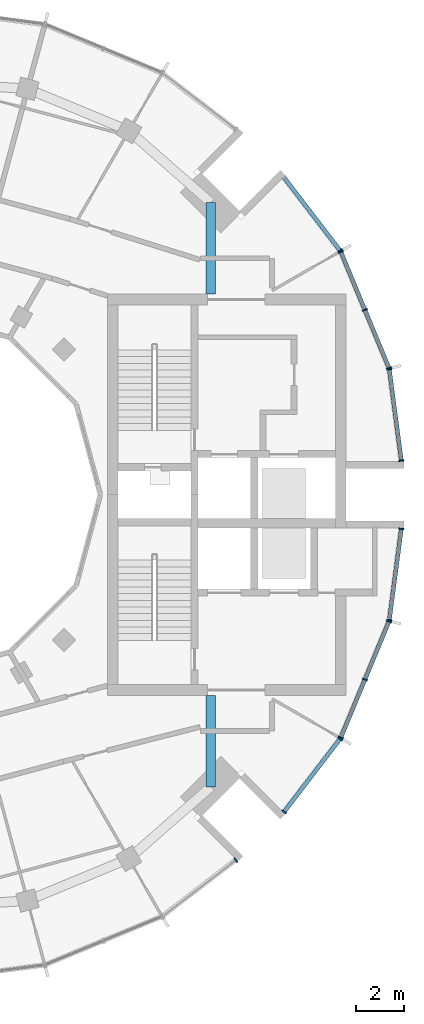
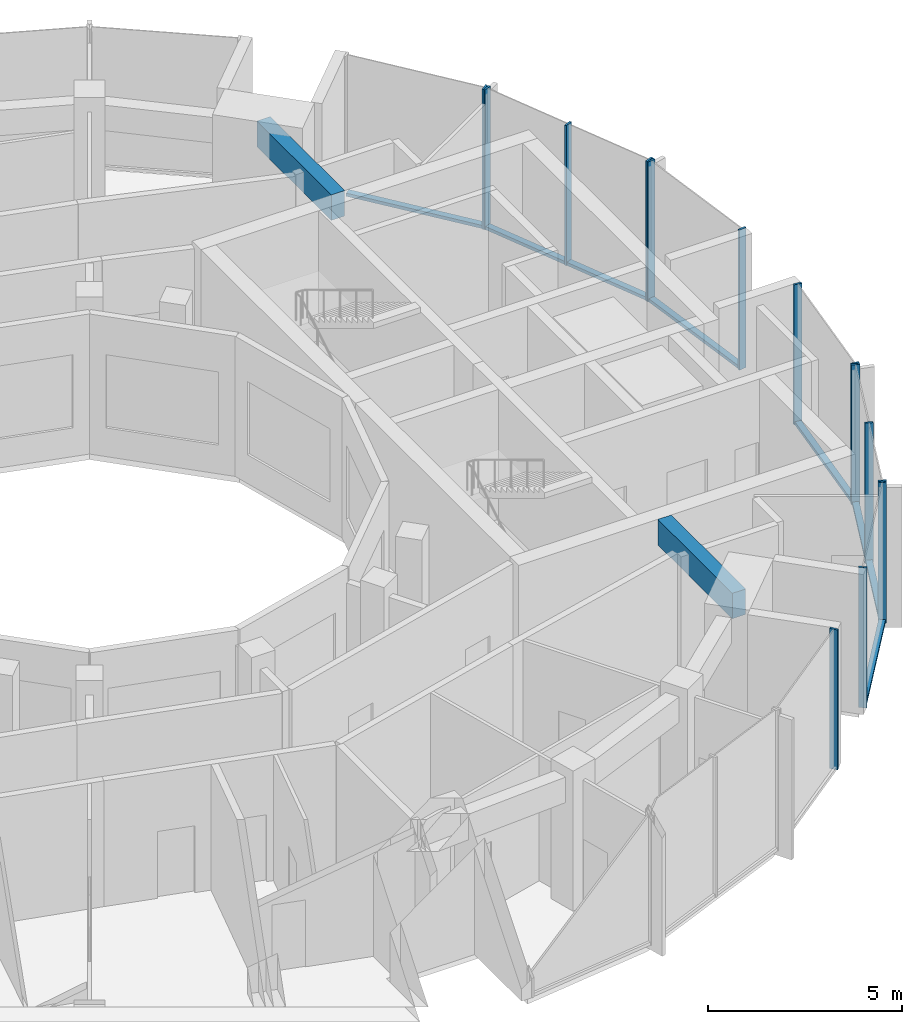
# One storey, part 4 of 13: 22 members, 2 beams, 7 elements without a shape of their own.
"""IFC4 building model written with IfcOpenShell, lengths in metres."""

from ifc_helpers import new_model, si_unit, direction, frame, origin, origin_2d, place, context, subcontext, project, spatial, rectangle, extrude, material, layer, layer_set, material_profile, profile_set, type_object, element, aggregate, save


model = new_model("IFC4")

# Units and contexts
model_context = context("Model", 3, precision=1e-05, world=origin(), true_north=direction((0.0, 1.0)))
body_context = subcontext(model_context, "Body", "Model", "MODEL_VIEW")
ifc_project = project(units=[si_unit("LENGTHUNIT", "METRE"), si_unit("AREAUNIT", "SQUARE_METRE"), si_unit("VOLUMEUNIT", "CUBIC_METRE"), si_unit("PLANEANGLEUNIT", "RADIAN"), si_unit("MASSUNIT", "GRAM", prefix="KILO")], contexts=[model_context])

# Site, building, storey
site_placement = place(None, origin())
site = spatial("IfcSite", under=ifc_project, at=site_placement, CompositionType="ELEMENT")
building_placement = place(site_placement, origin())
building = spatial("IfcBuilding", under=site, at=building_placement, Name="Torre Brocal", CompositionType="ELEMENT")
storey_placement = place(building_placement, frame((0.0, 0.0, 319.300048828125)))
storey = spatial("IfcBuildingStorey", under=building, at=storey_placement, Name="L73", CompositionType="ELEMENT", Elevation=319.300048828125)

# Curtain wall, members
ifc_material_1 = material(Name="Aluminium and glass", Category="aluminium")
ifc_layer = layer(ifc_material_1, 0.199951171875)
ifc_layer_set = layer_set([ifc_layer], Name="Aluminium and glass")
curtain_wall_type = type_object("IfcCurtainWallType", Name="CW-5 CURTAIN WALL 4400 HIGH", PredefinedType="NOTDEFINED", material=ifc_layer_set)
curtain_wall_1_placement = place(storey_placement, origin())
curtain_wall_1 = element("IfcCurtainWall", 1, at=curtain_wall_1_placement, inside=storey, type_object=curtain_wall_type, Name="CW-5 RUN 1", PredefinedType="NOTDEFINED")
ifc_material_2 = material(Name="Aluminium, dark anodised", Category="aluminium")
ifc_material_profile_1 = material_profile(ifc_material_2, rectangle(XDim=0.219970703125, YDim=0.06005859375, at=origin_2d()), Name="CW-5 MULLION 60X220")
ifc_profile_set_1 = profile_set([ifc_material_profile_1], Name="Aluminium, dark anodised")
member_type_1 = type_object("IfcMemberType", Name="CW-5 MULLION 60X220", PredefinedType="MULLION", material=ifc_profile_set_1)
member_1_placement = place(storey_placement, frame((100.2109375, 76.4296875, 0.0), z_axis=(0.0, 0.0, 1.0), x_axis=(-0.991444861394, -0.130526192064, 0.0)))
member_1 = element("IfcMember", 2, at=member_1_placement, type_object=member_type_1, Name="CW5-1 mullion 1", PredefinedType="MULLION", context=body_context, shape_type="SweptSolid", body=[
    extrude(rectangle(XDim=0.219970703125, YDim=0.06005859375, at=origin_2d()), origin(), (0.0, 0.0, 1.0), 4.39990234375),
])
member_2_placement = place(storey_placement, frame((99.7080078125, 80.25, 0.0), z_axis=(0.0, 0.0, 1.0), x_axis=(-0.991444861394, -0.130526192064, 0.0)))
member_2 = element("IfcMember", 3, at=member_2_placement, type_object=member_type_1, Name="CW5-1 mullion 2", PredefinedType="MULLION", context=body_context, shape_type="SweptSolid", body=[
    extrude(rectangle(XDim=0.219970703125, YDim=0.06005859375, at=origin_2d()), origin(), (0.0, 0.0, 1.0), 4.39990234375),
])

curtain_wall_2_placement = place(storey_placement, origin())
curtain_wall_2 = element("IfcCurtainWall", 4, at=curtain_wall_2_placement, inside=storey, type_object=curtain_wall_type, Name="CW-5 RUN 2", PredefinedType="NOTDEFINED")
member_3_placement = place(storey_placement, frame((99.692626953125, 80.307373046875, 0.0), z_axis=(0.0, 0.0, 1.0), x_axis=(-0.923879532478, -0.382683432446, 0.0)))
member_3 = element("IfcMember", 5, at=member_3_placement, type_object=member_type_1, Name="CW5-1 mullion 1", PredefinedType="MULLION", context=body_context, shape_type="SweptSolid", body=[
    extrude(rectangle(XDim=0.219970703125, YDim=0.06005859375, at=origin_2d()), origin(), (0.0, 0.0, 1.0), 4.39990234375),
])
member_4_placement = place(storey_placement, frame((98.68505859375, 82.73974609375, 0.0), z_axis=(0.0, 0.0, 1.0), x_axis=(-0.923879532478, -0.382683432446, 0.0)))
member_4 = element("IfcMember", 6, at=member_4_placement, type_object=member_type_1, Name="CW5-1 mullion 2", PredefinedType="MULLION", context=body_context, shape_type="SweptSolid", body=[
    extrude(rectangle(XDim=0.219970703125, YDim=0.06005859375, at=origin_2d()), origin(), (0.0, 0.0, 1.0), 4.39990234375),
])
member_5_placement = place(storey_placement, frame((97.677734375, 85.171875, 0.0), z_axis=(0.0, 0.0, 1.0), x_axis=(-0.923879532478, -0.382683432446, 0.0)))
member_5 = element("IfcMember", 7, at=member_5_placement, type_object=member_type_1, Name="CW5-1 mullion 3", PredefinedType="MULLION", context=body_context, shape_type="SweptSolid", body=[
    extrude(rectangle(XDim=0.219970703125, YDim=0.06005859375, at=origin_2d()), origin(), (0.0, 0.0, 1.0), 4.39990234375),
])

# Curtain wall, member
curtain_wall_3_placement = place(storey_placement, origin())
curtain_wall_3 = element("IfcCurtainWall", 8, at=curtain_wall_3_placement, inside=storey, type_object=curtain_wall_type, Name="CW-5 RUN 3", PredefinedType="NOTDEFINED")
member_6_placement = place(storey_placement, frame((97.64794921875, 85.223388671875, 0.0), z_axis=(0.0, 0.0, 1.0), x_axis=(-0.793353340376, -0.608761428898, 0.0)))
member_6 = element("IfcMember", 9, at=member_6_placement, type_object=member_type_1, Name="CW5-1 mullion 1", PredefinedType="MULLION", context=body_context, shape_type="SweptSolid", body=[
    extrude(rectangle(XDim=0.219970703125, YDim=0.06005859375, at=origin_2d()), origin(), (0.0, 0.0, 1.0), 4.39990234375),
])

curtain_wall_4_placement = place(storey_placement, origin())
curtain_wall_4 = element("IfcCurtainWall", 10, at=curtain_wall_4_placement, inside=storey, type_object=curtain_wall_type, Name="CW-5 RUN 21", PredefinedType="NOTDEFINED")
member_7_placement = place(storey_placement, frame((93.2802734375, 59.69775390625, 0.0), z_axis=(0.0, 0.0, 1.0), x_axis=(-0.608761428898, 0.793353340376, 0.0)))
member_7 = element("IfcMember", 11, at=member_7_placement, type_object=member_type_1, Name="CW5-1 mullion 2", PredefinedType="MULLION", context=body_context, shape_type="SweptSolid", body=[
    extrude(rectangle(XDim=0.219970703125, YDim=0.06005859375, at=origin_2d()), origin(), (0.0, 0.0, 1.0), 4.39990234375),
])
aggregate(curtain_wall_4, [member_7])

# Curtain wall, members
curtain_wall_5_placement = place(storey_placement, origin())
curtain_wall_5 = element("IfcCurtainWall", 12, at=curtain_wall_5_placement, inside=storey, type_object=curtain_wall_type, Name="CW-5 RUN 22", PredefinedType="NOTDEFINED")
member_8_placement = place(storey_placement, frame((95.30224609375, 61.7197265625, 0.0), z_axis=(0.0, 0.0, 1.0), x_axis=(-0.793353340376, 0.608761428898, 0.0)))
member_8 = element("IfcMember", 13, at=member_8_placement, type_object=member_type_1, Name="CW5-1 mullion 1", PredefinedType="MULLION", context=body_context, shape_type="SweptSolid", body=[
    extrude(rectangle(XDim=0.219970703125, YDim=0.06005859375, at=origin_2d()), origin(), (0.0, 0.0, 1.0), 4.39990234375),
])
member_9_placement = place(storey_placement, frame((97.64794921875, 64.776611328125, 0.0), z_axis=(0.0, 0.0, 1.0), x_axis=(-0.793353340376, 0.608761428898, 0.0)))
member_9 = element("IfcMember", 14, at=member_9_placement, type_object=member_type_1, Name="CW5-1 mullion 2", PredefinedType="MULLION", context=body_context, shape_type="SweptSolid", body=[
    extrude(rectangle(XDim=0.219970703125, YDim=0.06005859375, at=origin_2d()), origin(), (0.0, 0.0, 1.0), 4.39990234375),
])

curtain_wall_6_placement = place(storey_placement, origin())
curtain_wall_6 = element("IfcCurtainWall", 15, at=curtain_wall_6_placement, inside=storey, type_object=curtain_wall_type, Name="CW-5 RUN 23", PredefinedType="NOTDEFINED")
member_10_placement = place(storey_placement, frame((97.677734375, 64.828125, 0.0), z_axis=(0.0, 0.0, 1.0), x_axis=(-0.923879532478, 0.382683432446, 0.0)))
member_10 = element("IfcMember", 16, at=member_10_placement, type_object=member_type_1, Name="CW5-1 mullion 1", PredefinedType="MULLION", context=body_context, shape_type="SweptSolid", body=[
    extrude(rectangle(XDim=0.219970703125, YDim=0.06005859375, at=origin_2d()), origin(), (0.0, 0.0, 1.0), 4.39990234375),
])
member_11_placement = place(storey_placement, frame((98.68505859375, 67.26025390625, 0.0), z_axis=(0.0, 0.0, 1.0), x_axis=(-0.923879532478, 0.382683432446, 0.0)))
member_11 = element("IfcMember", 17, at=member_11_placement, type_object=member_type_1, Name="CW5-1 mullion 2", PredefinedType="MULLION", context=body_context, shape_type="SweptSolid", body=[
    extrude(rectangle(XDim=0.219970703125, YDim=0.06005859375, at=origin_2d()), origin(), (0.0, 0.0, 1.0), 4.39990234375),
])
member_12_placement = place(storey_placement, frame((99.692626953125, 69.692626953125, 0.0), z_axis=(0.0, 0.0, 1.0), x_axis=(-0.923879532478, 0.382683432446, 0.0)))
member_12 = element("IfcMember", 18, at=member_12_placement, type_object=member_type_1, Name="CW5-1 mullion 3", PredefinedType="MULLION", context=body_context, shape_type="SweptSolid", body=[
    extrude(rectangle(XDim=0.219970703125, YDim=0.06005859375, at=origin_2d()), origin(), (0.0, 0.0, 1.0), 4.39990234375),
])

curtain_wall_7_placement = place(storey_placement, origin())
curtain_wall_7 = element("IfcCurtainWall", 19, at=curtain_wall_7_placement, inside=storey, type_object=curtain_wall_type, Name="CW-5 RUN 24", PredefinedType="NOTDEFINED")
member_13_placement = place(storey_placement, frame((99.7080078125, 69.75, 0.0), z_axis=(0.0, 0.0, 1.0), x_axis=(-0.991444861394, 0.130526192064, 0.0)))
member_13 = element("IfcMember", 20, at=member_13_placement, type_object=member_type_1, Name="CW5-1 mullion 1", PredefinedType="MULLION", context=body_context, shape_type="SweptSolid", body=[
    extrude(rectangle(XDim=0.219970703125, YDim=0.06005859375, at=origin_2d()), origin(), (0.0, 0.0, 1.0), 4.39990234375),
])
member_14_placement = place(storey_placement, frame((100.2109375, 73.5703125, 0.0), z_axis=(0.0, 0.0, 1.0), x_axis=(-0.991444861394, 0.130526192064, 0.0)))
member_14 = element("IfcMember", 21, at=member_14_placement, type_object=member_type_1, Name="CW5-1 mullion 2", PredefinedType="MULLION", context=body_context, shape_type="SweptSolid", body=[
    extrude(rectangle(XDim=0.219970703125, YDim=0.06005859375, at=origin_2d()), origin(), (0.0, 0.0, 1.0), 4.39990234375),
])

# Member
ifc_material_3 = material(Name="Aluminium, dark anodised", Category="aluminium")
ifc_material_profile_2 = material_profile(ifc_material_3, rectangle(XDim=0.179931640625, YDim=0.10009765625, at=origin_2d()), Name="CW-5 TRANSOM 180X100")
ifc_profile_set_2 = profile_set([ifc_material_profile_2], Name="Aluminium, dark anodised")
member_type_2 = type_object("IfcMemberType", Name="CW-5 TRANSOM 180X100", PredefinedType="USERDEFINED", material=ifc_profile_set_2)
member_15_placement = place(storey_placement, frame((100.20703125, 76.45947265625, 0.050048828125), z_axis=(-0.130527769268, 0.99144465375, 0.0), x_axis=(-0.99144465375, -0.130527769268, 0.0)))
member_15 = element("IfcMember", 22, at=member_15_placement, type_object=member_type_2, Name="CW5-1 transom 1.1", ObjectType="TRANSOM", PredefinedType="USERDEFINED", context=body_context, shape_type="SweptSolid", body=[
    extrude(rectangle(XDim=0.179931640625, YDim=0.10009765625, at=origin_2d()), origin(), (0.0, 0.0, 1.0), 3.793212890625),
])

aggregate(curtain_wall_1, [member_1, member_2, member_15])

member_16_placement = place(storey_placement, frame((99.68115234375, 80.335205078125, 0.050048828125), z_axis=(-0.382734542152, 0.923858360488, 0.0), x_axis=(-0.923858360488, -0.382734542152, 0.0)))
member_16 = element("IfcMember", 23, at=member_16_placement, type_object=member_type_2, Name="CW5-1 transom 1.1", ObjectType="TRANSOM", PredefinedType="USERDEFINED", context=body_context, shape_type="SweptSolid", body=[
    extrude(rectangle(XDim=0.179931640625, YDim=0.10009765625, at=origin_2d()), origin(), (0.0, 0.0, 1.0), 2.572509765625),
])

member_17_placement = place(storey_placement, frame((98.673583984375, 82.767333984375, 0.050048828125), z_axis=(-0.382653538633, 0.923891914334, 0.0), x_axis=(-0.923891914334, -0.382653538633, 0.0)))
member_17 = element("IfcMember", 24, at=member_17_placement, type_object=member_type_2, Name="CW5-1 transom 2.1", ObjectType="TRANSOM", PredefinedType="USERDEFINED", context=body_context, shape_type="SweptSolid", body=[
    extrude(rectangle(XDim=0.179931640625, YDim=0.10009765625, at=origin_2d()), origin(), (0.0, 0.0, 1.0), 2.572509765625),
])

aggregate(curtain_wall_2, [member_3, member_4, member_5, member_16, member_17])

member_18_placement = place(storey_placement, frame((97.629638671875, 85.2470703125, 0.050048828125), z_axis=(-0.60872740935, 0.793379443335, 0.0), x_axis=(-0.793379443335, -0.60872740935, 0.0)))
member_18 = element("IfcMember", 25, at=member_18_placement, type_object=member_type_2, Name="CW5-1 transom 1.1", ObjectType="TRANSOM", PredefinedType="USERDEFINED", context=body_context, shape_type="SweptSolid", body=[
    extrude(rectangle(XDim=0.179931640625, YDim=0.10009765625, at=origin_2d()), origin(), (0.0, 0.0, 1.0), 3.793212890625),
])

aggregate(curtain_wall_3, [member_6, member_18])

member_19_placement = place(storey_placement, frame((95.320556640625, 61.743408203125, 0.050048828125), z_axis=(0.60872740935, 0.793379443335, 0.0), x_axis=(-0.793379443335, 0.60872740935, 0.0)))
member_19 = element("IfcMember", 26, at=member_19_placement, type_object=member_type_2, Name="CW5-1 transom 1.1", ObjectType="TRANSOM", PredefinedType="USERDEFINED", context=body_context, shape_type="SweptSolid", body=[
    extrude(rectangle(XDim=0.179931640625, YDim=0.10009765625, at=origin_2d()), origin(), (0.0, 0.0, 1.0), 3.793212890625),
])

aggregate(curtain_wall_5, [member_8, member_9, member_19])

member_20_placement = place(storey_placement, frame((97.689208984375, 64.85595703125, 0.050048828125), z_axis=(0.382653538633, 0.923891914334, 0.0), x_axis=(-0.923891914334, 0.382653538633, 0.0)))
member_20 = element("IfcMember", 27, at=member_20_placement, type_object=member_type_2, Name="CW5-1 transom 1.1", ObjectType="TRANSOM", PredefinedType="USERDEFINED", context=body_context, shape_type="SweptSolid", body=[
    extrude(rectangle(XDim=0.179931640625, YDim=0.10009765625, at=origin_2d()), origin(), (0.0, 0.0, 1.0), 2.572509765625),
])

member_21_placement = place(storey_placement, frame((98.696533203125, 67.2880859375, 0.050048828125), z_axis=(0.382734542152, 0.923858360488, 0.0), x_axis=(-0.923858360488, 0.382734542152, 0.0)))
member_21 = element("IfcMember", 28, at=member_21_placement, type_object=member_type_2, Name="CW5-1 transom 2.1", ObjectType="TRANSOM", PredefinedType="USERDEFINED", context=body_context, shape_type="SweptSolid", body=[
    extrude(rectangle(XDim=0.179931640625, YDim=0.10009765625, at=origin_2d()), origin(), (0.0, 0.0, 1.0), 2.572509765625),
])

aggregate(curtain_wall_6, [member_10, member_11, member_12, member_20, member_21])

member_22_placement = place(storey_placement, frame((99.7119140625, 69.77978515625, 0.050048828125), z_axis=(0.130527769268, 0.99144465375, 0.0), x_axis=(-0.99144465375, 0.130527769268, 0.0)))
member_22 = element("IfcMember", 29, at=member_22_placement, type_object=member_type_2, Name="CW5-1 transom 1.1", ObjectType="TRANSOM", PredefinedType="USERDEFINED", context=body_context, shape_type="SweptSolid", body=[
    extrude(rectangle(XDim=0.179931640625, YDim=0.10009765625, at=origin_2d()), origin(), (0.0, 0.0, 1.0), 3.793212890625),
])

aggregate(curtain_wall_7, [member_13, member_14, member_22])

# Beams
ifc_material_4 = material(Name="Concrete C50", Category="concrete")
ifc_material_profile_3 = material_profile(ifc_material_4, rectangle(XDim=0.39990234375, YDim=0.800048828125, at=origin_2d()), Name="RC 400X800")
ifc_profile_set_3 = profile_set([ifc_material_profile_3], Name="Concrete C50")
beam_type = type_object("IfcBeamType", Name="RC SPANDREL BEAM 400X800 C50 TOP 4080", PredefinedType="SPANDREL", material=ifc_profile_set_3)
for number, where, z_axis, x_axis, name in (
    (30, (92.23291015625, 62.76708984375, 3.679931640625), (0.0, 1.0, 0.0), (-1.0, 0.0, 0.0), "Beam BT-50"),
    (31, (92.23291015625, 87.23291015625, 3.679931640625), (0.0, -1.0, 0.0), (1.0, 0.0, 0.0), "Beam BT-50"),
):
    element("IfcBeam", number, at=place(storey_placement, frame(where, z_axis=z_axis, x_axis=x_axis)), inside=storey, type_object=beam_type, Name=name, PredefinedType="SPANDREL", context=body_context, shape_type="SweptSolid", body=[
        extrude(rectangle(XDim=0.39990234375, YDim=0.800048828125, at=origin_2d()), origin(), (0.0, 0.0, 1.0), 3.8330078125),
    ])

save(model, "model.ifc")
